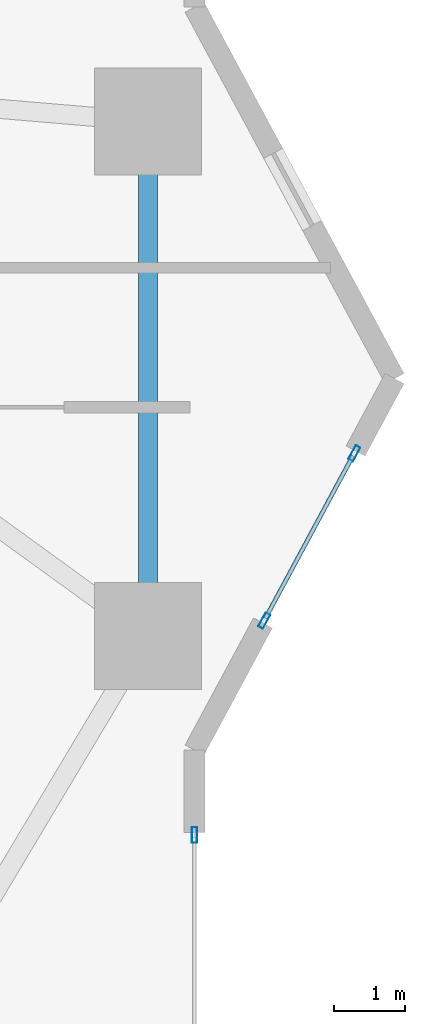
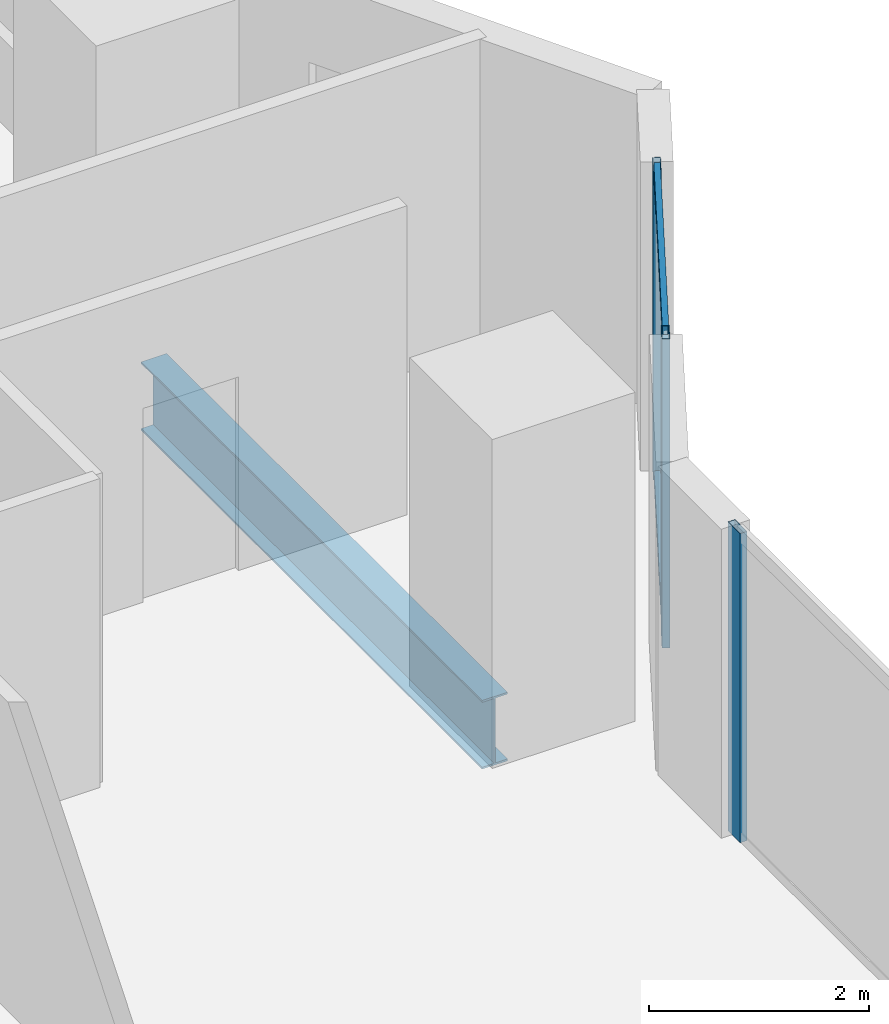
# One storey, part 12 of 28: 5 members, 1 beam, 2 elements without a shape of their own.
"""IFC4 building model written with IfcOpenShell, lengths in metres."""

from ifc_helpers import new_model, si_unit, direction, frame, origin, origin_2d, place, context, subcontext, project, spatial, hollow_rectangle, i_section, extrude, material, layer, layer_set, material_profile, profile_set, type_object, element, aggregate, save


model = new_model("IFC4")

# Units and contexts
model_context = context("Model", 3, precision=1e-05, world=origin(), true_north=direction((0.0, 1.0)))
body_context = subcontext(model_context, "Body", "Model", "MODEL_VIEW")
ifc_project = project(units=[si_unit("LENGTHUNIT", "METRE"), si_unit("AREAUNIT", "SQUARE_METRE"), si_unit("VOLUMEUNIT", "CUBIC_METRE"), si_unit("PLANEANGLEUNIT", "RADIAN"), si_unit("MASSUNIT", "GRAM", prefix="KILO")], contexts=[model_context])

# Site, building, storey
site_placement = place(None, origin())
site = spatial("IfcSite", under=ifc_project, at=site_placement, CompositionType="ELEMENT")
building_placement = place(site_placement, origin())
building = spatial("IfcBuilding", under=site, at=building_placement, Name="Zuhayl Quay Hotel", CompositionType="ELEMENT")
storey_placement = place(building_placement, frame((0.0, 0.0, 53.14990234375)))
storey = spatial("IfcBuildingStorey", under=building, at=storey_placement, Name="L12", CompositionType="ELEMENT", Elevation=53.14990234375)

# Beam
ifc_material_1 = material(Name="Steel ASTM A992 Grade 50", Category="steel")
ifc_material_profile_1 = material_profile(ifc_material_1, i_section(OverallWidth=0.26708984375, OverallDepth=0.761962890625, WebThickness=0.014404296875, FlangeThickness=0.021484375, at=origin_2d()), Name="W30X116")
ifc_profile_set_1 = profile_set([ifc_material_profile_1], Name="Steel ASTM A992 Grade 50")
beam_type = type_object("IfcBeamType", Name="BM_B1_W30X116", PredefinedType="BEAM", material=ifc_profile_set_1)
beam_placement = place(storey_placement, frame((25.050048828125, -3.10009765625, -0.600830078125), z_axis=(0.0, 1.0, 0.0), x_axis=(-1.0, 0.0, 0.0)))
element("IfcBeam", 1, at=beam_placement, inside=storey, type_object=beam_type, Name="L12 Floor Beam RG_L12_05", PredefinedType="BEAM", context=body_context, shape_type="SweptSolid", body=[
    extrude(i_section(OverallWidth=0.26708984375, OverallDepth=0.761962890625, WebThickness=0.014404296875, FlangeThickness=0.021484375, at=origin_2d()), origin(), (0.0, 0.0, 1.0), 6.2001953125),
])

# Curtain wall, members
ifc_material_2 = material(Name="Anodised Aluminium 6063-T6", Category="aluminium")
ifc_layer = layer(ifc_material_2, 0.18994140625, Name="Anodised Aluminium 6063-T6", Category="aluminium")
ifc_layer_set = layer_set([ifc_layer], Name="Anodised Aluminium 6063-T6")
curtain_wall_type = type_object("IfcCurtainWallType", Name="CW_SYS_Z1", PredefinedType="USERDEFINED", material=ifc_layer_set)
curtain_wall_1_placement = place(storey_placement, origin())
curtain_wall_1 = element("IfcCurtainWall", 2, at=curtain_wall_1_placement, inside=storey, type_object=curtain_wall_type, Name="L12 Curtain Wall ENV_L12_E13_CW1", ObjectType="UNITISED CURTAIN WALL", PredefinedType="USERDEFINED")
ifc_material_3 = material(Name="Black-anodised aluminium 6063-T6", Category="aluminium")
ifc_material_profile_2 = material_profile(ifc_material_3, hollow_rectangle(XDim=0.074951171875, YDim=0.219970703125, WallThickness=0.00390625, at=origin_2d()), Name="ALU220X75")
ifc_profile_set_2 = profile_set([ifc_material_profile_2], Name="Black-anodised aluminium 6063-T6")
member_type_1 = type_object("IfcMemberType", Name="MB_CW_MUL_220", PredefinedType="MULLION", material=ifc_profile_set_2)
member_1_placement = place(storey_placement, frame((27.93701171875, -1.04541015625, 0.0), z_axis=(0.0, 0.0, 1.0), x_axis=(0.880475795468, -0.474091102632, 0.0)))
member_1 = element("IfcMember", 3, at=member_1_placement, type_object=member_type_1, Name="CW-Z1 mullion 1", PredefinedType="MULLION", context=body_context, shape_type="SweptSolid", body=[
    extrude(hollow_rectangle(XDim=0.074951171875, YDim=0.219970703125, WallThickness=0.00390625, at=origin_2d()), origin(), (0.0, 0.0, 1.0), 3.43017578125),
])
member_2_placement = place(storey_placement, frame((26.67578125, -3.387939453125, 0.0), z_axis=(0.0, 0.0, 1.0), x_axis=(0.880475795468, -0.474091102632, 0.0)))
member_2 = element("IfcMember", 4, at=member_2_placement, type_object=member_type_1, Name="CW-Z1 mullion 2", PredefinedType="MULLION", context=body_context, shape_type="SweptSolid", body=[
    extrude(hollow_rectangle(XDim=0.074951171875, YDim=0.219970703125, WallThickness=0.00390625, at=origin_2d()), origin(), (0.0, 0.0, 1.0), 3.43017578125),
])

# Curtain wall, member
curtain_wall_2_placement = place(storey_placement, origin())
curtain_wall_2 = element("IfcCurtainWall", 5, at=curtain_wall_2_placement, inside=storey, type_object=curtain_wall_type, Name="L12 Curtain Wall ENV_L12_E14_CW1", ObjectType="UNITISED CURTAIN WALL", PredefinedType="USERDEFINED")
member_3_placement = place(storey_placement, frame((25.699951171875, -6.387451171875, 0.0), z_axis=(0.0, 0.0, 1.0), x_axis=(1.0, 0.0, 0.0)))
member_3 = element("IfcMember", 6, at=member_3_placement, type_object=member_type_1, Name="CW-Z1 mullion 1", PredefinedType="MULLION", context=body_context, shape_type="SweptSolid", body=[
    extrude(hollow_rectangle(XDim=0.074951171875, YDim=0.219970703125, WallThickness=0.00390625, at=origin_2d()), origin(), (0.0, 0.0, 1.0), 3.43017578125),
])
aggregate(curtain_wall_2, [member_3])

# Member
ifc_material_profile_3 = material_profile(ifc_material_3, hollow_rectangle(XDim=0.06005859375, YDim=0.14990234375, WallThickness=0.00341796875, at=origin_2d()), Name="ALU150X60")
ifc_profile_set_3 = profile_set([ifc_material_profile_3], Name="Black-anodised aluminium 6063-T6")
member_type_2 = type_object("IfcMemberType", Name="MB_CW_TRN_150", PredefinedType="USERDEFINED", material=ifc_profile_set_3)
member_4_placement = place(storey_placement, frame((27.919189453125, -1.07861328125, 0.030029296875), z_axis=(-0.474054771703, -0.880495356845, 0.0), x_axis=(0.880495356845, -0.474054771703, 0.0)))
member_4 = element("IfcMember", 7, at=member_4_placement, type_object=member_type_2, Name="CW-Z1 transom 1.1", ObjectType="TRANSOM", PredefinedType="USERDEFINED", context=body_context, shape_type="SweptSolid", body=[
    extrude(hollow_rectangle(XDim=0.06005859375, YDim=0.14990234375, WallThickness=0.00341796875, at=origin_2d()), origin(), (0.0, 0.0, 1.0), 2.585205078125),
])

member_5_placement = place(storey_placement, frame((27.919189453125, -1.07861328125, 3.400146484375), z_axis=(-0.474054771703, -0.880495356845, 0.0), x_axis=(0.880495356845, -0.474054771703, 0.0)))
member_5 = element("IfcMember", 8, at=member_5_placement, type_object=member_type_2, Name="CW-Z1 transom 1.2", ObjectType="TRANSOM", PredefinedType="USERDEFINED", context=body_context, shape_type="SweptSolid", body=[
    extrude(hollow_rectangle(XDim=0.06005859375, YDim=0.14990234375, WallThickness=0.00341796875, at=origin_2d()), origin(), (0.0, 0.0, 1.0), 2.585205078125),
])

aggregate(curtain_wall_1, [member_1, member_2, member_4, member_5])

save(model, "model.ifc")
